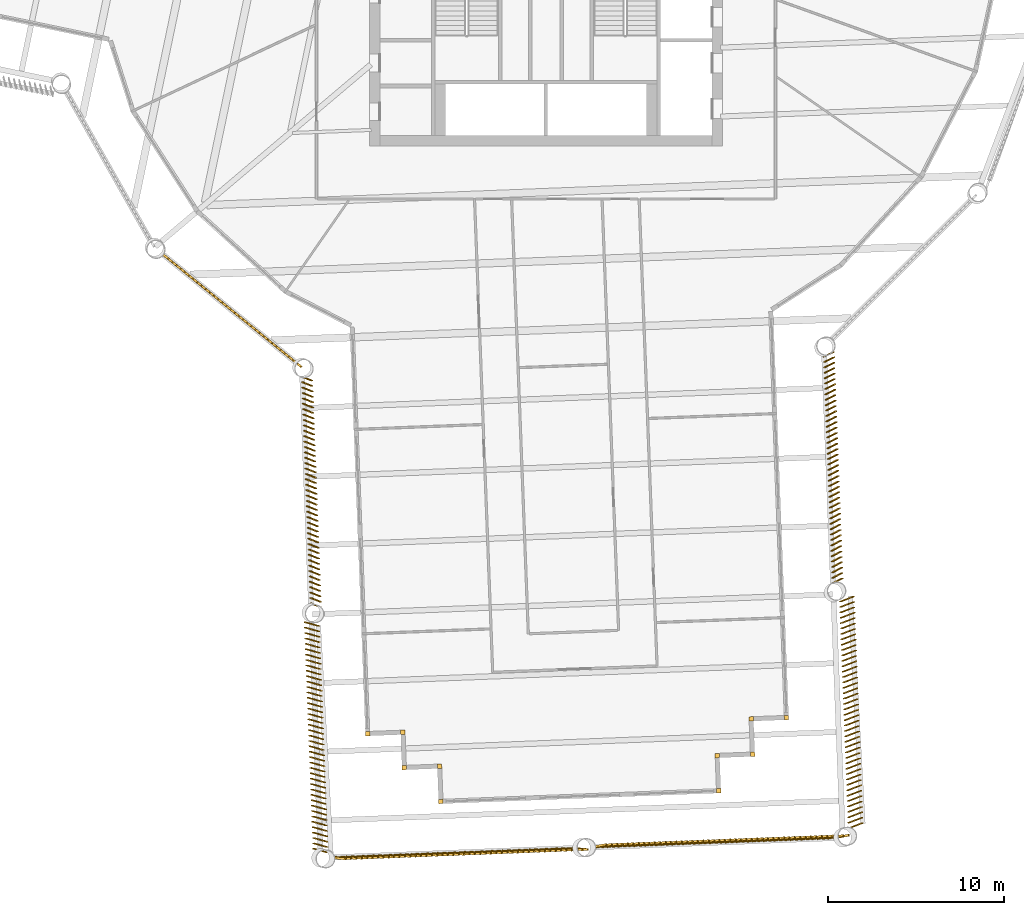
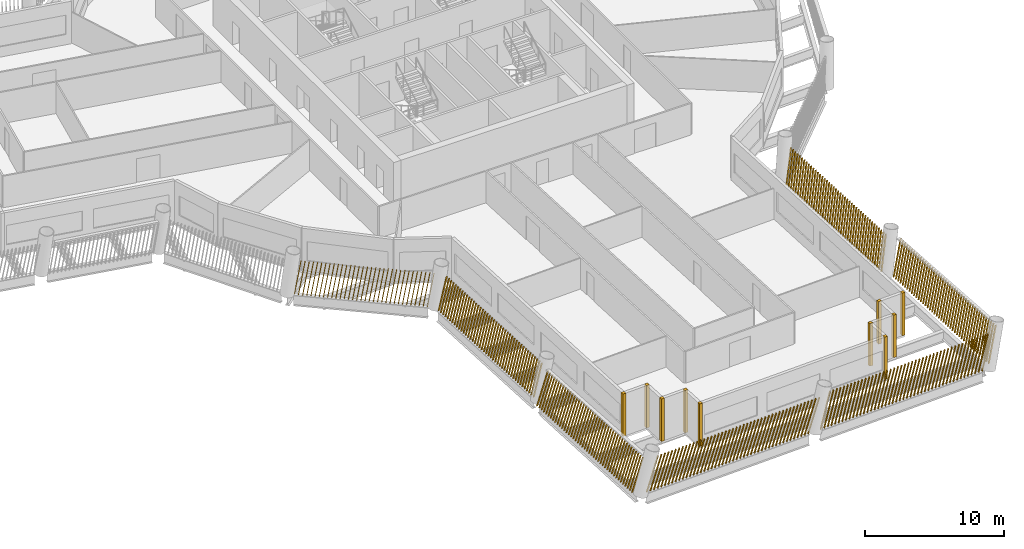
# One storey, part 10 of 14: 17 shading devices.
"""IFC4 building model written with IfcOpenShell, lengths in metres."""

from ifc_helpers import new_model, si_unit, direction, frame, frame_2d, origin, origin_2d, place, context, subcontext, project, spatial, rectangle, composite_profile, extrude, material, type_object, element, save


model = new_model("IFC4")

# Units and contexts
model_context = context("Model", 3, precision=1e-05, world=origin(), true_north=direction((0.0, 1.0)))
body_context = subcontext(model_context, "Body", "Model", "MODEL_VIEW")
ifc_project = project(units=[si_unit("LENGTHUNIT", "METRE"), si_unit("AREAUNIT", "SQUARE_METRE"), si_unit("VOLUMEUNIT", "CUBIC_METRE"), si_unit("PLANEANGLEUNIT", "RADIAN"), si_unit("MASSUNIT", "GRAM", prefix="KILO")], contexts=[model_context])

# Site, building, storey
site_placement = place(None, origin())
site = spatial("IfcSite", under=ifc_project, at=site_placement, CompositionType="ELEMENT")
building_placement = place(site_placement, origin())
building = spatial("IfcBuilding", under=site, at=building_placement, Name="Tarsis Ring Headquarters", CompositionType="ELEMENT")
storey_placement = place(building_placement, frame((0.0, 0.0, 235.5)))
storey = spatial("IfcBuildingStorey", under=building, at=storey_placement, Name="L55", CompositionType="ELEMENT", Elevation=235.5)

# Shading devices
ifc_material = material(Name="Terracotta baguette", Category="masonry")
shading_device_type_1 = type_object("IfcShadingDeviceType", Name="Terracotta baguette screen", PredefinedType="USERDEFINED", material=ifc_material)
shading_device_1_placement = place(storey_placement, frame((-21.79931640625, -19.06494140625, 0.0), z_axis=(0.0, 0.0, 1.0), x_axis=(0.775890068707, -0.630880699563, 0.0)))
element("IfcShadingDevice", 1, at=shading_device_1_placement, inside=storey, type_object=shading_device_type_1, Name="Baguette screen L55-00", ObjectType="Terracotta baguette screen", PredefinedType="USERDEFINED", context=body_context, shape_type="SweptSolid", body=[
    extrude(composite_profile([rectangle(XDim=0.06005859375, YDim=0.1201171875, at=frame_2d((0.030029296875, 0.0))), rectangle(XDim=0.06005859375, YDim=0.1201171875, at=frame_2d((0.33349609375, 0.0))), rectangle(XDim=0.06005859375, YDim=0.1201171875, at=frame_2d((0.636962890625, 0.0))), rectangle(XDim=0.06005859375, YDim=0.1201171875, at=frame_2d((0.9404296875, 0.0))), rectangle(XDim=0.06005859375, YDim=0.1201171875, at=frame_2d((1.243896484375, 0.0))), rectangle(XDim=0.06005859375, YDim=0.1201171875, at=frame_2d((1.54736328125, 0.0))), rectangle(XDim=0.06005859375, YDim=0.1201171875, at=frame_2d((1.85107421875, 0.0))), rectangle(XDim=0.06005859375, YDim=0.1201171875, at=frame_2d((2.154541015625, 0.0))), rectangle(XDim=0.06005859375, YDim=0.1201171875, at=frame_2d((2.4580078125, 0.0))), rectangle(XDim=0.06005859375, YDim=0.1201171875, at=frame_2d((2.761474609375, 0.0))), rectangle(XDim=0.06005859375, YDim=0.1201171875, at=frame_2d((3.06494140625, 0.0))), rectangle(XDim=0.06005859375, YDim=0.1201171875, at=frame_2d((3.368408203125, 0.0))), rectangle(XDim=0.06005859375, YDim=0.1201171875, at=frame_2d((3.671875, 0.0))), rectangle(XDim=0.06005859375, YDim=0.1201171875, at=frame_2d((3.975341796875, 0.0))), rectangle(XDim=0.06005859375, YDim=0.1201171875, at=frame_2d((4.27880859375, 0.0))), rectangle(XDim=0.06005859375, YDim=0.1201171875, at=frame_2d((4.582275390625, 0.0))), rectangle(XDim=0.06005859375, YDim=0.1201171875, at=frame_2d((4.8857421875, 0.0))), rectangle(XDim=0.06005859375, YDim=0.1201171875, at=frame_2d((5.189453125, 0.0))), rectangle(XDim=0.06005859375, YDim=0.1201171875, at=frame_2d((5.492919921875, 0.0))), rectangle(XDim=0.06005859375, YDim=0.1201171875, at=frame_2d((5.79638671875, 0.0))), rectangle(XDim=0.06005859375, YDim=0.1201171875, at=frame_2d((6.099853515625, 0.0))), rectangle(XDim=0.06005859375, YDim=0.1201171875, at=frame_2d((6.4033203125, 0.0))), rectangle(XDim=0.06005859375, YDim=0.1201171875, at=frame_2d((6.706787109375, 0.0))), rectangle(XDim=0.06005859375, YDim=0.1201171875, at=frame_2d((7.01025390625, 0.0))), rectangle(XDim=0.06005859375, YDim=0.1201171875, at=frame_2d((7.313720703125, 0.0))), rectangle(XDim=0.06005859375, YDim=0.1201171875, at=frame_2d((7.6171875, 0.0))), rectangle(XDim=0.06005859375, YDim=0.1201171875, at=frame_2d((7.920654296875, 0.0))), rectangle(XDim=0.06005859375, YDim=0.1201171875, at=frame_2d((8.224365234375, 0.0))), rectangle(XDim=0.06005859375, YDim=0.1201171875, at=frame_2d((8.52783203125, 0.0))), rectangle(XDim=0.06005859375, YDim=0.1201171875, at=frame_2d((8.831298828125, 0.0))), rectangle(XDim=0.06005859375, YDim=0.1201171875, at=frame_2d((9.134765625, 0.0))), rectangle(XDim=0.06005859375, YDim=0.1201171875, at=frame_2d((9.438232421875, 0.0))), rectangle(XDim=0.06005859375, YDim=0.1201171875, at=frame_2d((9.74169921875, 0.0)))]), origin(), (0.160033421582, 0.0013400536, 0.987110686921), 2.988525390625),
])
shading_device_2_placement = place(storey_placement, frame((-13.810302734375, -26.044921875, 0.0), z_axis=(0.0, 0.0, 1.0), x_axis=(0.038374931406, -0.99926202055, 0.0)))
element("IfcShadingDevice", 2, at=shading_device_2_placement, inside=storey, type_object=shading_device_type_1, Name="Baguette screen L55-01", ObjectType="Terracotta baguette screen", PredefinedType="USERDEFINED", context=body_context, shape_type="SweptSolid", body=[
    extrude(composite_profile([rectangle(XDim=0.06005859375, YDim=0.1201171875, at=frame_2d((0.030029296875, 0.0))), rectangle(XDim=0.06005859375, YDim=0.1201171875, at=frame_2d((0.335693359375, 0.0))), rectangle(XDim=0.06005859375, YDim=0.1201171875, at=frame_2d((0.6416015625, 0.0))), rectangle(XDim=0.06005859375, YDim=0.1201171875, at=frame_2d((0.947265625, 0.0))), rectangle(XDim=0.06005859375, YDim=0.1201171875, at=frame_2d((1.253173828125, 0.0))), rectangle(XDim=0.06005859375, YDim=0.1201171875, at=frame_2d((1.558837890625, 0.0))), rectangle(XDim=0.06005859375, YDim=0.1201171875, at=frame_2d((1.864501953125, 0.0))), rectangle(XDim=0.06005859375, YDim=0.1201171875, at=frame_2d((2.17041015625, 0.0))), rectangle(XDim=0.06005859375, YDim=0.1201171875, at=frame_2d((2.47607421875, 0.0))), rectangle(XDim=0.06005859375, YDim=0.1201171875, at=frame_2d((2.781982421875, 0.0))), rectangle(XDim=0.06005859375, YDim=0.1201171875, at=frame_2d((3.087646484375, 0.0))), rectangle(XDim=0.06005859375, YDim=0.1201171875, at=frame_2d((3.393310546875, 0.0))), rectangle(XDim=0.06005859375, YDim=0.1201171875, at=frame_2d((3.69921875, 0.0))), rectangle(XDim=0.06005859375, YDim=0.1201171875, at=frame_2d((4.0048828125, 0.0))), rectangle(XDim=0.06005859375, YDim=0.1201171875, at=frame_2d((4.310791015625, 0.0))), rectangle(XDim=0.06005859375, YDim=0.1201171875, at=frame_2d((4.616455078125, 0.0))), rectangle(XDim=0.06005859375, YDim=0.1201171875, at=frame_2d((4.922119140625, 0.0))), rectangle(XDim=0.06005859375, YDim=0.1201171875, at=frame_2d((5.22802734375, 0.0))), rectangle(XDim=0.06005859375, YDim=0.1201171875, at=frame_2d((5.53369140625, 0.0))), rectangle(XDim=0.06005859375, YDim=0.1201171875, at=frame_2d((5.839599609375, 0.0))), rectangle(XDim=0.06005859375, YDim=0.1201171875, at=frame_2d((6.145263671875, 0.0))), rectangle(XDim=0.06005859375, YDim=0.1201171875, at=frame_2d((6.451171875, 0.0))), rectangle(XDim=0.06005859375, YDim=0.1201171875, at=frame_2d((6.7568359375, 0.0))), rectangle(XDim=0.06005859375, YDim=0.1201171875, at=frame_2d((7.0625, 0.0))), rectangle(XDim=0.06005859375, YDim=0.1201171875, at=frame_2d((7.368408203125, 0.0))), rectangle(XDim=0.06005859375, YDim=0.1201171875, at=frame_2d((7.674072265625, 0.0))), rectangle(XDim=0.06005859375, YDim=0.1201171875, at=frame_2d((7.97998046875, 0.0))), rectangle(XDim=0.06005859375, YDim=0.1201171875, at=frame_2d((8.28564453125, 0.0))), rectangle(XDim=0.06005859375, YDim=0.1201171875, at=frame_2d((8.59130859375, 0.0))), rectangle(XDim=0.06005859375, YDim=0.1201171875, at=frame_2d((8.897216796875, 0.0))), rectangle(XDim=0.06005859375, YDim=0.1201171875, at=frame_2d((9.202880859375, 0.0))), rectangle(XDim=0.06005859375, YDim=0.1201171875, at=frame_2d((9.5087890625, 0.0))), rectangle(XDim=0.06005859375, YDim=0.1201171875, at=frame_2d((9.814453125, 0.0))), rectangle(XDim=0.06005859375, YDim=0.1201171875, at=frame_2d((10.1201171875, 0.0))), rectangle(XDim=0.06005859375, YDim=0.1201171875, at=frame_2d((10.426025390625, 0.0))), rectangle(XDim=0.06005859375, YDim=0.1201171875, at=frame_2d((10.731689453125, 0.0))), rectangle(XDim=0.06005859375, YDim=0.1201171875, at=frame_2d((11.03759765625, 0.0))), rectangle(XDim=0.06005859375, YDim=0.1201171875, at=frame_2d((11.34326171875, 0.0))), rectangle(XDim=0.06005859375, YDim=0.1201171875, at=frame_2d((11.64892578125, 0.0))), rectangle(XDim=0.06005859375, YDim=0.1201171875, at=frame_2d((11.954833984375, 0.0))), rectangle(XDim=0.06005859375, YDim=0.1201171875, at=frame_2d((12.260498046875, 0.0))), rectangle(XDim=0.06005859375, YDim=0.1201171875, at=frame_2d((12.56640625, 0.0))), rectangle(XDim=0.06005859375, YDim=0.1201171875, at=frame_2d((12.8720703125, 0.0)))]), origin(), (0.080932191211, 0.178611055085, 0.98058557578), 3.00830078125),
])
shading_device_3_placement = place(storey_placement, frame((-13.6513671875, -39.951171875, 0.0), z_axis=(0.0, 0.0, 1.0), x_axis=(0.038374205268, -0.999262034514, 0.0)))
element("IfcShadingDevice", 3, at=shading_device_3_placement, inside=storey, type_object=shading_device_type_1, Name="Baguette screen L55-02", ObjectType="Terracotta baguette screen", PredefinedType="USERDEFINED", context=body_context, shape_type="SweptSolid", body=[
    extrude(composite_profile([rectangle(XDim=0.06005859375, YDim=0.1201171875, at=frame_2d((0.030029296875, 0.0))), rectangle(XDim=0.06005859375, YDim=0.1201171875, at=frame_2d((0.335693359375, 0.0))), rectangle(XDim=0.06005859375, YDim=0.1201171875, at=frame_2d((0.6416015625, 0.0))), rectangle(XDim=0.06005859375, YDim=0.1201171875, at=frame_2d((0.947265625, 0.0))), rectangle(XDim=0.06005859375, YDim=0.1201171875, at=frame_2d((1.253173828125, 0.0))), rectangle(XDim=0.06005859375, YDim=0.1201171875, at=frame_2d((1.558837890625, 0.0))), rectangle(XDim=0.06005859375, YDim=0.1201171875, at=frame_2d((1.864501953125, 0.0))), rectangle(XDim=0.06005859375, YDim=0.1201171875, at=frame_2d((2.17041015625, 0.0))), rectangle(XDim=0.06005859375, YDim=0.1201171875, at=frame_2d((2.47607421875, 0.0))), rectangle(XDim=0.06005859375, YDim=0.1201171875, at=frame_2d((2.781982421875, 0.0))), rectangle(XDim=0.06005859375, YDim=0.1201171875, at=frame_2d((3.087646484375, 0.0))), rectangle(XDim=0.06005859375, YDim=0.1201171875, at=frame_2d((3.393310546875, 0.0))), rectangle(XDim=0.06005859375, YDim=0.1201171875, at=frame_2d((3.69921875, 0.0))), rectangle(XDim=0.06005859375, YDim=0.1201171875, at=frame_2d((4.0048828125, 0.0))), rectangle(XDim=0.06005859375, YDim=0.1201171875, at=frame_2d((4.310791015625, 0.0))), rectangle(XDim=0.06005859375, YDim=0.1201171875, at=frame_2d((4.616455078125, 0.0))), rectangle(XDim=0.06005859375, YDim=0.1201171875, at=frame_2d((4.922119140625, 0.0))), rectangle(XDim=0.06005859375, YDim=0.1201171875, at=frame_2d((5.22802734375, 0.0))), rectangle(XDim=0.06005859375, YDim=0.1201171875, at=frame_2d((5.53369140625, 0.0))), rectangle(XDim=0.06005859375, YDim=0.1201171875, at=frame_2d((5.839599609375, 0.0))), rectangle(XDim=0.06005859375, YDim=0.1201171875, at=frame_2d((6.145263671875, 0.0))), rectangle(XDim=0.06005859375, YDim=0.1201171875, at=frame_2d((6.451171875, 0.0))), rectangle(XDim=0.06005859375, YDim=0.1201171875, at=frame_2d((6.7568359375, 0.0))), rectangle(XDim=0.06005859375, YDim=0.1201171875, at=frame_2d((7.0625, 0.0))), rectangle(XDim=0.06005859375, YDim=0.1201171875, at=frame_2d((7.368408203125, 0.0))), rectangle(XDim=0.06005859375, YDim=0.1201171875, at=frame_2d((7.674072265625, 0.0))), rectangle(XDim=0.06005859375, YDim=0.1201171875, at=frame_2d((7.97998046875, 0.0))), rectangle(XDim=0.06005859375, YDim=0.1201171875, at=frame_2d((8.28564453125, 0.0))), rectangle(XDim=0.06005859375, YDim=0.1201171875, at=frame_2d((8.59130859375, 0.0))), rectangle(XDim=0.06005859375, YDim=0.1201171875, at=frame_2d((8.897216796875, 0.0))), rectangle(XDim=0.06005859375, YDim=0.1201171875, at=frame_2d((9.202880859375, 0.0))), rectangle(XDim=0.06005859375, YDim=0.1201171875, at=frame_2d((9.5087890625, 0.0))), rectangle(XDim=0.06005859375, YDim=0.1201171875, at=frame_2d((9.814453125, 0.0))), rectangle(XDim=0.06005859375, YDim=0.1201171875, at=frame_2d((10.1201171875, 0.0))), rectangle(XDim=0.06005859375, YDim=0.1201171875, at=frame_2d((10.426025390625, 0.0))), rectangle(XDim=0.06005859375, YDim=0.1201171875, at=frame_2d((10.731689453125, 0.0))), rectangle(XDim=0.06005859375, YDim=0.1201171875, at=frame_2d((11.03759765625, 0.0))), rectangle(XDim=0.06005859375, YDim=0.1201171875, at=frame_2d((11.34326171875, 0.0))), rectangle(XDim=0.06005859375, YDim=0.1201171875, at=frame_2d((11.64892578125, 0.0))), rectangle(XDim=0.06005859375, YDim=0.1201171875, at=frame_2d((11.954833984375, 0.0))), rectangle(XDim=0.06005859375, YDim=0.1201171875, at=frame_2d((12.260498046875, 0.0))), rectangle(XDim=0.06005859375, YDim=0.1201171875, at=frame_2d((12.56640625, 0.0))), rectangle(XDim=0.06005859375, YDim=0.1201171875, at=frame_2d((12.8720703125, 0.0)))]), origin(), (0.08100933953, 0.251821406967, 0.964377242526), 3.058837890625),
])
shading_device_4_placement = place(storey_placement, frame((-12.2626953125, -53.31005859375, 0.0), z_axis=(0.0, 0.0, 1.0), x_axis=(0.999256979089, 0.038389413721, 0.0)))
element("IfcShadingDevice", 4, at=shading_device_4_placement, inside=storey, type_object=shading_device_type_1, Name="Baguette screen L55-03", ObjectType="Terracotta baguette screen", PredefinedType="USERDEFINED", context=body_context, shape_type="SweptSolid", body=[
    extrude(composite_profile([rectangle(XDim=0.06005859375, YDim=0.1201171875, at=frame_2d((0.030029296875, 0.0))), rectangle(XDim=0.06005859375, YDim=0.1201171875, at=frame_2d((0.33544921875, 0.0))), rectangle(XDim=0.06005859375, YDim=0.1201171875, at=frame_2d((0.640625, 0.0))), rectangle(XDim=0.06005859375, YDim=0.1201171875, at=frame_2d((0.946044921875, 0.0))), rectangle(XDim=0.06005859375, YDim=0.1201171875, at=frame_2d((1.25146484375, 0.0))), rectangle(XDim=0.06005859375, YDim=0.1201171875, at=frame_2d((1.556640625, 0.0))), rectangle(XDim=0.06005859375, YDim=0.1201171875, at=frame_2d((1.862060546875, 0.0))), rectangle(XDim=0.06005859375, YDim=0.1201171875, at=frame_2d((2.16748046875, 0.0))), rectangle(XDim=0.06005859375, YDim=0.1201171875, at=frame_2d((2.47265625, 0.0))), rectangle(XDim=0.06005859375, YDim=0.1201171875, at=frame_2d((2.778076171875, 0.0))), rectangle(XDim=0.06005859375, YDim=0.1201171875, at=frame_2d((3.08349609375, 0.0))), rectangle(XDim=0.06005859375, YDim=0.1201171875, at=frame_2d((3.388671875, 0.0))), rectangle(XDim=0.06005859375, YDim=0.1201171875, at=frame_2d((3.694091796875, 0.0))), rectangle(XDim=0.06005859375, YDim=0.1201171875, at=frame_2d((3.99951171875, 0.0))), rectangle(XDim=0.06005859375, YDim=0.1201171875, at=frame_2d((4.3046875, 0.0))), rectangle(XDim=0.06005859375, YDim=0.1201171875, at=frame_2d((4.610107421875, 0.0))), rectangle(XDim=0.06005859375, YDim=0.1201171875, at=frame_2d((4.91552734375, 0.0))), rectangle(XDim=0.06005859375, YDim=0.1201171875, at=frame_2d((5.220703125, 0.0))), rectangle(XDim=0.06005859375, YDim=0.1201171875, at=frame_2d((5.526123046875, 0.0))), rectangle(XDim=0.06005859375, YDim=0.1201171875, at=frame_2d((5.83154296875, 0.0))), rectangle(XDim=0.06005859375, YDim=0.1201171875, at=frame_2d((6.13671875, 0.0))), rectangle(XDim=0.06005859375, YDim=0.1201171875, at=frame_2d((6.442138671875, 0.0))), rectangle(XDim=0.06005859375, YDim=0.1201171875, at=frame_2d((6.74755859375, 0.0))), rectangle(XDim=0.06005859375, YDim=0.1201171875, at=frame_2d((7.052734375, 0.0))), rectangle(XDim=0.06005859375, YDim=0.1201171875, at=frame_2d((7.358154296875, 0.0))), rectangle(XDim=0.06005859375, YDim=0.1201171875, at=frame_2d((7.66357421875, 0.0))), rectangle(XDim=0.06005859375, YDim=0.1201171875, at=frame_2d((7.96875, 0.0))), rectangle(XDim=0.06005859375, YDim=0.1201171875, at=frame_2d((8.274169921875, 0.0))), rectangle(XDim=0.06005859375, YDim=0.1201171875, at=frame_2d((8.57958984375, 0.0))), rectangle(XDim=0.06005859375, YDim=0.1201171875, at=frame_2d((8.884765625, 0.0))), rectangle(XDim=0.06005859375, YDim=0.1201171875, at=frame_2d((9.190185546875, 0.0))), rectangle(XDim=0.06005859375, YDim=0.1201171875, at=frame_2d((9.49560546875, 0.0))), rectangle(XDim=0.06005859375, YDim=0.1201171875, at=frame_2d((9.80078125, 0.0))), rectangle(XDim=0.06005859375, YDim=0.1201171875, at=frame_2d((10.106201171875, 0.0))), rectangle(XDim=0.06005859375, YDim=0.1201171875, at=frame_2d((10.41162109375, 0.0))), rectangle(XDim=0.06005859375, YDim=0.1201171875, at=frame_2d((10.716796875, 0.0))), rectangle(XDim=0.06005859375, YDim=0.1201171875, at=frame_2d((11.022216796875, 0.0))), rectangle(XDim=0.06005859375, YDim=0.1201171875, at=frame_2d((11.32763671875, 0.0))), rectangle(XDim=0.06005859375, YDim=0.1201171875, at=frame_2d((11.6328125, 0.0))), rectangle(XDim=0.06005859375, YDim=0.1201171875, at=frame_2d((11.938232421875, 0.0))), rectangle(XDim=0.06005859375, YDim=0.1201171875, at=frame_2d((12.24365234375, 0.0))), rectangle(XDim=0.06005859375, YDim=0.1201171875, at=frame_2d((12.548828125, 0.0))), rectangle(XDim=0.06005859375, YDim=0.1201171875, at=frame_2d((12.854248046875, 0.0))), rectangle(XDim=0.06005859375, YDim=0.1201171875, at=frame_2d((13.15966796875, 0.0))), rectangle(XDim=0.06005859375, YDim=0.1201171875, at=frame_2d((13.46484375, 0.0))), rectangle(XDim=0.06005859375, YDim=0.1201171875, at=frame_2d((13.770263671875, 0.0)))]), origin(), (0.287344445029, -0.037820478993, 0.957080342124), 3.082275390625),
])
shading_device_5_placement = place(storey_placement, frame((2.526611328125, -52.741943359375, 0.0), z_axis=(0.0, 0.0, 1.0), x_axis=(0.999256965944, 0.038390092879, 0.0)))
element("IfcShadingDevice", 5, at=shading_device_5_placement, inside=storey, type_object=shading_device_type_1, Name="Baguette screen L55-04", ObjectType="Terracotta baguette screen", PredefinedType="USERDEFINED", context=body_context, shape_type="SweptSolid", body=[
    extrude(composite_profile([rectangle(XDim=0.06005859375, YDim=0.1201171875, at=frame_2d((0.030029296875, 0.0))), rectangle(XDim=0.06005859375, YDim=0.1201171875, at=frame_2d((0.33544921875, 0.0))), rectangle(XDim=0.06005859375, YDim=0.1201171875, at=frame_2d((0.640625, 0.0))), rectangle(XDim=0.06005859375, YDim=0.1201171875, at=frame_2d((0.946044921875, 0.0))), rectangle(XDim=0.06005859375, YDim=0.1201171875, at=frame_2d((1.25146484375, 0.0))), rectangle(XDim=0.06005859375, YDim=0.1201171875, at=frame_2d((1.556640625, 0.0))), rectangle(XDim=0.06005859375, YDim=0.1201171875, at=frame_2d((1.862060546875, 0.0))), rectangle(XDim=0.06005859375, YDim=0.1201171875, at=frame_2d((2.16748046875, 0.0))), rectangle(XDim=0.06005859375, YDim=0.1201171875, at=frame_2d((2.47265625, 0.0))), rectangle(XDim=0.06005859375, YDim=0.1201171875, at=frame_2d((2.778076171875, 0.0))), rectangle(XDim=0.06005859375, YDim=0.1201171875, at=frame_2d((3.08349609375, 0.0))), rectangle(XDim=0.06005859375, YDim=0.1201171875, at=frame_2d((3.388671875, 0.0))), rectangle(XDim=0.06005859375, YDim=0.1201171875, at=frame_2d((3.694091796875, 0.0))), rectangle(XDim=0.06005859375, YDim=0.1201171875, at=frame_2d((3.99951171875, 0.0))), rectangle(XDim=0.06005859375, YDim=0.1201171875, at=frame_2d((4.3046875, 0.0))), rectangle(XDim=0.06005859375, YDim=0.1201171875, at=frame_2d((4.610107421875, 0.0))), rectangle(XDim=0.06005859375, YDim=0.1201171875, at=frame_2d((4.91552734375, 0.0))), rectangle(XDim=0.06005859375, YDim=0.1201171875, at=frame_2d((5.220703125, 0.0))), rectangle(XDim=0.06005859375, YDim=0.1201171875, at=frame_2d((5.526123046875, 0.0))), rectangle(XDim=0.06005859375, YDim=0.1201171875, at=frame_2d((5.83154296875, 0.0))), rectangle(XDim=0.06005859375, YDim=0.1201171875, at=frame_2d((6.13671875, 0.0))), rectangle(XDim=0.06005859375, YDim=0.1201171875, at=frame_2d((6.442138671875, 0.0))), rectangle(XDim=0.06005859375, YDim=0.1201171875, at=frame_2d((6.74755859375, 0.0))), rectangle(XDim=0.06005859375, YDim=0.1201171875, at=frame_2d((7.052734375, 0.0))), rectangle(XDim=0.06005859375, YDim=0.1201171875, at=frame_2d((7.358154296875, 0.0))), rectangle(XDim=0.06005859375, YDim=0.1201171875, at=frame_2d((7.66357421875, 0.0))), rectangle(XDim=0.06005859375, YDim=0.1201171875, at=frame_2d((7.96875, 0.0))), rectangle(XDim=0.06005859375, YDim=0.1201171875, at=frame_2d((8.274169921875, 0.0))), rectangle(XDim=0.06005859375, YDim=0.1201171875, at=frame_2d((8.57958984375, 0.0))), rectangle(XDim=0.06005859375, YDim=0.1201171875, at=frame_2d((8.884765625, 0.0))), rectangle(XDim=0.06005859375, YDim=0.1201171875, at=frame_2d((9.190185546875, 0.0))), rectangle(XDim=0.06005859375, YDim=0.1201171875, at=frame_2d((9.49560546875, 0.0))), rectangle(XDim=0.06005859375, YDim=0.1201171875, at=frame_2d((9.80078125, 0.0))), rectangle(XDim=0.06005859375, YDim=0.1201171875, at=frame_2d((10.106201171875, 0.0))), rectangle(XDim=0.06005859375, YDim=0.1201171875, at=frame_2d((10.41162109375, 0.0))), rectangle(XDim=0.06005859375, YDim=0.1201171875, at=frame_2d((10.716796875, 0.0))), rectangle(XDim=0.06005859375, YDim=0.1201171875, at=frame_2d((11.022216796875, 0.0))), rectangle(XDim=0.06005859375, YDim=0.1201171875, at=frame_2d((11.32763671875, 0.0))), rectangle(XDim=0.06005859375, YDim=0.1201171875, at=frame_2d((11.6328125, 0.0))), rectangle(XDim=0.06005859375, YDim=0.1201171875, at=frame_2d((11.938232421875, 0.0))), rectangle(XDim=0.06005859375, YDim=0.1201171875, at=frame_2d((12.24365234375, 0.0))), rectangle(XDim=0.06005859375, YDim=0.1201171875, at=frame_2d((12.548828125, 0.0))), rectangle(XDim=0.06005859375, YDim=0.1201171875, at=frame_2d((12.854248046875, 0.0))), rectangle(XDim=0.06005859375, YDim=0.1201171875, at=frame_2d((13.15966796875, 0.0))), rectangle(XDim=0.06005859375, YDim=0.1201171875, at=frame_2d((13.46484375, 0.0))), rectangle(XDim=0.06005859375, YDim=0.1201171875, at=frame_2d((13.770263671875, 0.0)))]), origin(), (0.286670543007, 0.042628316118, 0.957080365715), 3.082275390625),
])
shading_device_6_placement = place(storey_placement, frame((17.17138671875, -51.678955078125, 0.0), z_axis=(0.0, 0.0, 1.0), x_axis=(-0.038374205268, 0.999262034514, 0.0)))
element("IfcShadingDevice", 6, at=shading_device_6_placement, inside=storey, type_object=shading_device_type_1, Name="Baguette screen L55-05", ObjectType="Terracotta baguette screen", PredefinedType="USERDEFINED", context=body_context, shape_type="SweptSolid", body=[
    extrude(composite_profile([rectangle(XDim=0.06005859375, YDim=0.1201171875, at=frame_2d((0.030029296875, 0.0))), rectangle(XDim=0.06005859375, YDim=0.1201171875, at=frame_2d((0.335693359375, 0.0))), rectangle(XDim=0.06005859375, YDim=0.1201171875, at=frame_2d((0.6416015625, 0.0))), rectangle(XDim=0.06005859375, YDim=0.1201171875, at=frame_2d((0.947265625, 0.0))), rectangle(XDim=0.06005859375, YDim=0.1201171875, at=frame_2d((1.253173828125, 0.0))), rectangle(XDim=0.06005859375, YDim=0.1201171875, at=frame_2d((1.558837890625, 0.0))), rectangle(XDim=0.06005859375, YDim=0.1201171875, at=frame_2d((1.864501953125, 0.0))), rectangle(XDim=0.06005859375, YDim=0.1201171875, at=frame_2d((2.17041015625, 0.0))), rectangle(XDim=0.06005859375, YDim=0.1201171875, at=frame_2d((2.47607421875, 0.0))), rectangle(XDim=0.06005859375, YDim=0.1201171875, at=frame_2d((2.781982421875, 0.0))), rectangle(XDim=0.06005859375, YDim=0.1201171875, at=frame_2d((3.087646484375, 0.0))), rectangle(XDim=0.06005859375, YDim=0.1201171875, at=frame_2d((3.393310546875, 0.0))), rectangle(XDim=0.06005859375, YDim=0.1201171875, at=frame_2d((3.69921875, 0.0))), rectangle(XDim=0.06005859375, YDim=0.1201171875, at=frame_2d((4.0048828125, 0.0))), rectangle(XDim=0.06005859375, YDim=0.1201171875, at=frame_2d((4.310791015625, 0.0))), rectangle(XDim=0.06005859375, YDim=0.1201171875, at=frame_2d((4.616455078125, 0.0))), rectangle(XDim=0.06005859375, YDim=0.1201171875, at=frame_2d((4.922119140625, 0.0))), rectangle(XDim=0.06005859375, YDim=0.1201171875, at=frame_2d((5.22802734375, 0.0))), rectangle(XDim=0.06005859375, YDim=0.1201171875, at=frame_2d((5.53369140625, 0.0))), rectangle(XDim=0.06005859375, YDim=0.1201171875, at=frame_2d((5.839599609375, 0.0))), rectangle(XDim=0.06005859375, YDim=0.1201171875, at=frame_2d((6.145263671875, 0.0))), rectangle(XDim=0.06005859375, YDim=0.1201171875, at=frame_2d((6.451171875, 0.0))), rectangle(XDim=0.06005859375, YDim=0.1201171875, at=frame_2d((6.7568359375, 0.0))), rectangle(XDim=0.06005859375, YDim=0.1201171875, at=frame_2d((7.0625, 0.0))), rectangle(XDim=0.06005859375, YDim=0.1201171875, at=frame_2d((7.368408203125, 0.0))), rectangle(XDim=0.06005859375, YDim=0.1201171875, at=frame_2d((7.674072265625, 0.0))), rectangle(XDim=0.06005859375, YDim=0.1201171875, at=frame_2d((7.97998046875, 0.0))), rectangle(XDim=0.06005859375, YDim=0.1201171875, at=frame_2d((8.28564453125, 0.0))), rectangle(XDim=0.06005859375, YDim=0.1201171875, at=frame_2d((8.59130859375, 0.0))), rectangle(XDim=0.06005859375, YDim=0.1201171875, at=frame_2d((8.897216796875, 0.0))), rectangle(XDim=0.06005859375, YDim=0.1201171875, at=frame_2d((9.202880859375, 0.0))), rectangle(XDim=0.06005859375, YDim=0.1201171875, at=frame_2d((9.5087890625, 0.0))), rectangle(XDim=0.06005859375, YDim=0.1201171875, at=frame_2d((9.814453125, 0.0))), rectangle(XDim=0.06005859375, YDim=0.1201171875, at=frame_2d((10.1201171875, 0.0))), rectangle(XDim=0.06005859375, YDim=0.1201171875, at=frame_2d((10.426025390625, 0.0))), rectangle(XDim=0.06005859375, YDim=0.1201171875, at=frame_2d((10.731689453125, 0.0))), rectangle(XDim=0.06005859375, YDim=0.1201171875, at=frame_2d((11.03759765625, 0.0))), rectangle(XDim=0.06005859375, YDim=0.1201171875, at=frame_2d((11.34326171875, 0.0))), rectangle(XDim=0.06005859375, YDim=0.1201171875, at=frame_2d((11.64892578125, 0.0))), rectangle(XDim=0.06005859375, YDim=0.1201171875, at=frame_2d((11.954833984375, 0.0))), rectangle(XDim=0.06005859375, YDim=0.1201171875, at=frame_2d((12.260498046875, 0.0))), rectangle(XDim=0.06005859375, YDim=0.1201171875, at=frame_2d((12.56640625, 0.0))), rectangle(XDim=0.06005859375, YDim=0.1201171875, at=frame_2d((12.8720703125, 0.0)))]), origin(), (0.085224119077, -0.250426463042, 0.964377227093), 3.058837890625),
])
shading_device_7_placement = place(storey_placement, frame((16.26318359375, -37.80126953125, 0.0), z_axis=(0.0, 0.0, 1.0), x_axis=(-0.038393853956, 0.99926202055, 0.0)))
element("IfcShadingDevice", 7, at=shading_device_7_placement, inside=storey, type_object=shading_device_type_1, Name="Baguette screen L55-06", ObjectType="Terracotta baguette screen", PredefinedType="USERDEFINED", context=body_context, shape_type="SweptSolid", body=[
    extrude(composite_profile([rectangle(XDim=0.06005859375, YDim=0.1201171875, at=frame_2d((0.030029296875, 0.0))), rectangle(XDim=0.06005859375, YDim=0.1201171875, at=frame_2d((0.335693359375, 0.0))), rectangle(XDim=0.06005859375, YDim=0.1201171875, at=frame_2d((0.6416015625, 0.0))), rectangle(XDim=0.06005859375, YDim=0.1201171875, at=frame_2d((0.947265625, 0.0))), rectangle(XDim=0.06005859375, YDim=0.1201171875, at=frame_2d((1.253173828125, 0.0))), rectangle(XDim=0.06005859375, YDim=0.1201171875, at=frame_2d((1.558837890625, 0.0))), rectangle(XDim=0.06005859375, YDim=0.1201171875, at=frame_2d((1.864501953125, 0.0))), rectangle(XDim=0.06005859375, YDim=0.1201171875, at=frame_2d((2.17041015625, 0.0))), rectangle(XDim=0.06005859375, YDim=0.1201171875, at=frame_2d((2.47607421875, 0.0))), rectangle(XDim=0.06005859375, YDim=0.1201171875, at=frame_2d((2.781982421875, 0.0))), rectangle(XDim=0.06005859375, YDim=0.1201171875, at=frame_2d((3.087646484375, 0.0))), rectangle(XDim=0.06005859375, YDim=0.1201171875, at=frame_2d((3.393310546875, 0.0))), rectangle(XDim=0.06005859375, YDim=0.1201171875, at=frame_2d((3.69921875, 0.0))), rectangle(XDim=0.06005859375, YDim=0.1201171875, at=frame_2d((4.0048828125, 0.0))), rectangle(XDim=0.06005859375, YDim=0.1201171875, at=frame_2d((4.310791015625, 0.0))), rectangle(XDim=0.06005859375, YDim=0.1201171875, at=frame_2d((4.616455078125, 0.0))), rectangle(XDim=0.06005859375, YDim=0.1201171875, at=frame_2d((4.922119140625, 0.0))), rectangle(XDim=0.06005859375, YDim=0.1201171875, at=frame_2d((5.22802734375, 0.0))), rectangle(XDim=0.06005859375, YDim=0.1201171875, at=frame_2d((5.53369140625, 0.0))), rectangle(XDim=0.06005859375, YDim=0.1201171875, at=frame_2d((5.839599609375, 0.0))), rectangle(XDim=0.06005859375, YDim=0.1201171875, at=frame_2d((6.145263671875, 0.0))), rectangle(XDim=0.06005859375, YDim=0.1201171875, at=frame_2d((6.451171875, 0.0))), rectangle(XDim=0.06005859375, YDim=0.1201171875, at=frame_2d((6.7568359375, 0.0))), rectangle(XDim=0.06005859375, YDim=0.1201171875, at=frame_2d((7.0625, 0.0))), rectangle(XDim=0.06005859375, YDim=0.1201171875, at=frame_2d((7.368408203125, 0.0))), rectangle(XDim=0.06005859375, YDim=0.1201171875, at=frame_2d((7.674072265625, 0.0))), rectangle(XDim=0.06005859375, YDim=0.1201171875, at=frame_2d((7.97998046875, 0.0))), rectangle(XDim=0.06005859375, YDim=0.1201171875, at=frame_2d((8.28564453125, 0.0))), rectangle(XDim=0.06005859375, YDim=0.1201171875, at=frame_2d((8.59130859375, 0.0))), rectangle(XDim=0.06005859375, YDim=0.1201171875, at=frame_2d((8.897216796875, 0.0))), rectangle(XDim=0.06005859375, YDim=0.1201171875, at=frame_2d((9.202880859375, 0.0))), rectangle(XDim=0.06005859375, YDim=0.1201171875, at=frame_2d((9.5087890625, 0.0))), rectangle(XDim=0.06005859375, YDim=0.1201171875, at=frame_2d((9.814453125, 0.0))), rectangle(XDim=0.06005859375, YDim=0.1201171875, at=frame_2d((10.1201171875, 0.0))), rectangle(XDim=0.06005859375, YDim=0.1201171875, at=frame_2d((10.426025390625, 0.0))), rectangle(XDim=0.06005859375, YDim=0.1201171875, at=frame_2d((10.731689453125, 0.0))), rectangle(XDim=0.06005859375, YDim=0.1201171875, at=frame_2d((11.03759765625, 0.0))), rectangle(XDim=0.06005859375, YDim=0.1201171875, at=frame_2d((11.34326171875, 0.0))), rectangle(XDim=0.06005859375, YDim=0.1201171875, at=frame_2d((11.64892578125, 0.0))), rectangle(XDim=0.06005859375, YDim=0.1201171875, at=frame_2d((11.954833984375, 0.0))), rectangle(XDim=0.06005859375, YDim=0.1201171875, at=frame_2d((12.260498046875, 0.0))), rectangle(XDim=0.06005859375, YDim=0.1201171875, at=frame_2d((12.56640625, 0.0))), rectangle(XDim=0.06005859375, YDim=0.1201171875, at=frame_2d((12.8720703125, 0.0)))]), origin(), (0.08391475683, -0.177229359864, 0.980585573822), 3.00830078125),
])
shading_device_type_2 = type_object("IfcShadingDeviceType", Name="Terracotta corner baguette 250x250", PredefinedType="USERDEFINED", material=ifc_material)
for number, where, z_axis, x_axis, name in (
    (8, (-10.105224609375, -46.297119140625, 0.0), (0.0, 0.0, 1.0), (0.038387809088, -0.999262916411, 0.0), "Corner baguette L55-07"),
    (9, (-8.106689453125, -46.22021484375, 0.0), (0.0, 0.0, 1.0), (0.999262909041, 0.038388000932, 0.0), "Corner baguette L55-08"),
    (10, (-8.02978515625, -48.21875, 0.0), (0.0, 0.0, 1.0), (0.038388000932, -0.999262909041, 0.0), "Corner baguette L55-09"),
    (11, (-6.031494140625, -48.14208984375, 0.0), (0.0, 0.0, 1.0), (0.999262908371, 0.038388018373, 0.0), "Corner baguette L55-10"),
    (12, (-5.95458984375, -50.140625, 0.0), (0.0, 0.0, 1.0), (0.038387983492, -0.999262909711, 0.0), "Corner baguette L55-11"),
    (13, (9.78369140625, -49.535888671875, 0.0), (0.0, 0.0, 1.0), (0.999262913731, 0.038387878849, 0.0), "Corner baguette L55-12"),
    (14, (9.70703125, -47.537353515625, 0.0), (0.0, 0.0, 1.0), (-0.0383875126, 0.9992629278, 0.0), "Corner baguette L55-13"),
    (15, (11.70556640625, -47.460693359375, 0.0), (0.0, 0.0, 1.0), (0.999262909041, 0.038388000932, 0.0), "Corner baguette L55-14"),
    (16, (11.628662109375, -45.462158203125, 0.0), (0.0, 0.0, 1.0), (-0.038388000932, 0.999262909041, 0.0), "Corner baguette L55-15"),
    (17, (13.627197265625, -45.38525390625, 0.0), (0.0, 0.0, 1.0), (0.999262909041, 0.038388000932, 0.0), "Corner baguette L55-16"),
):
    element("IfcShadingDevice", number, at=place(storey_placement, frame(where, z_axis=z_axis, x_axis=x_axis)), inside=storey, type_object=shading_device_type_2, Name=name, ObjectType="Terracotta corner baguette", PredefinedType="USERDEFINED", context=body_context, shape_type="SweptSolid", body=[
        extrude(rectangle(XDim=0.25, YDim=0.25, at=origin_2d()), origin(), (0.0, 0.0, 1.0), 3.739990234375),
    ])

save(model, "model.ifc")
